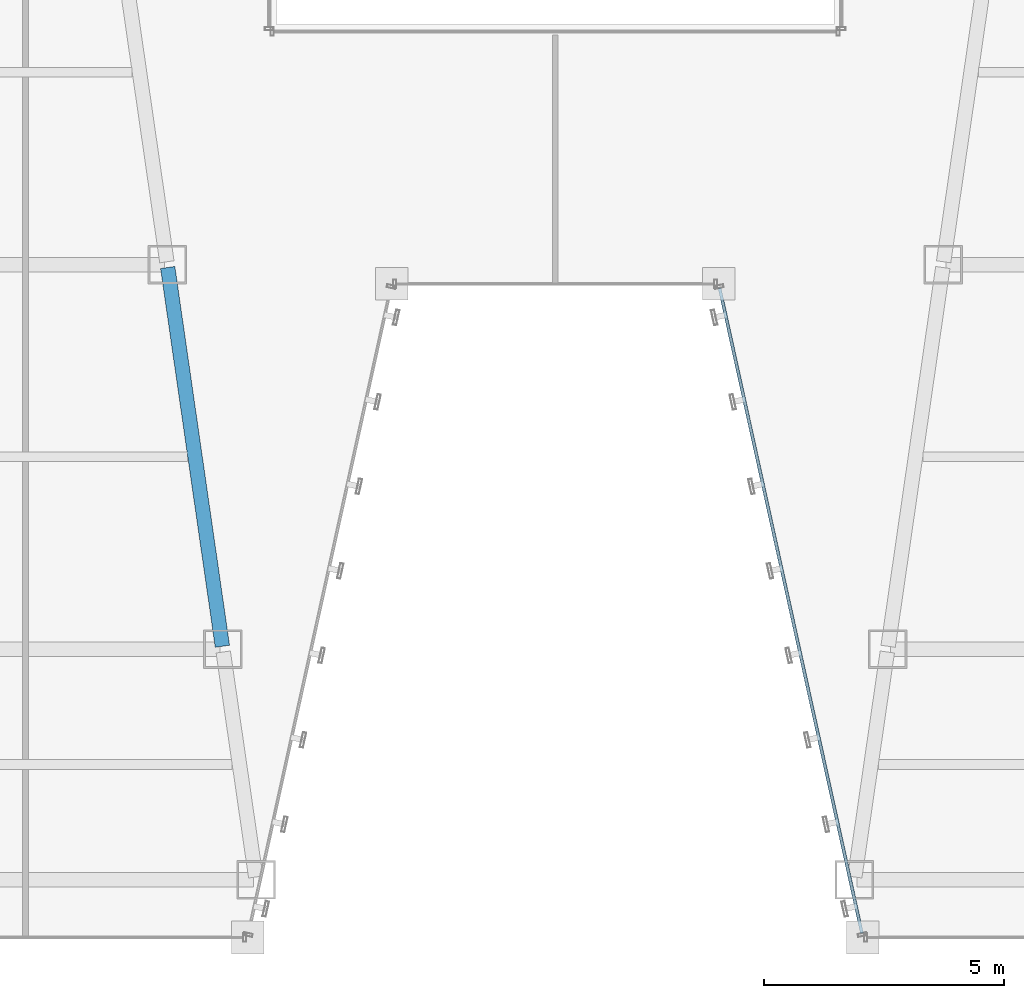
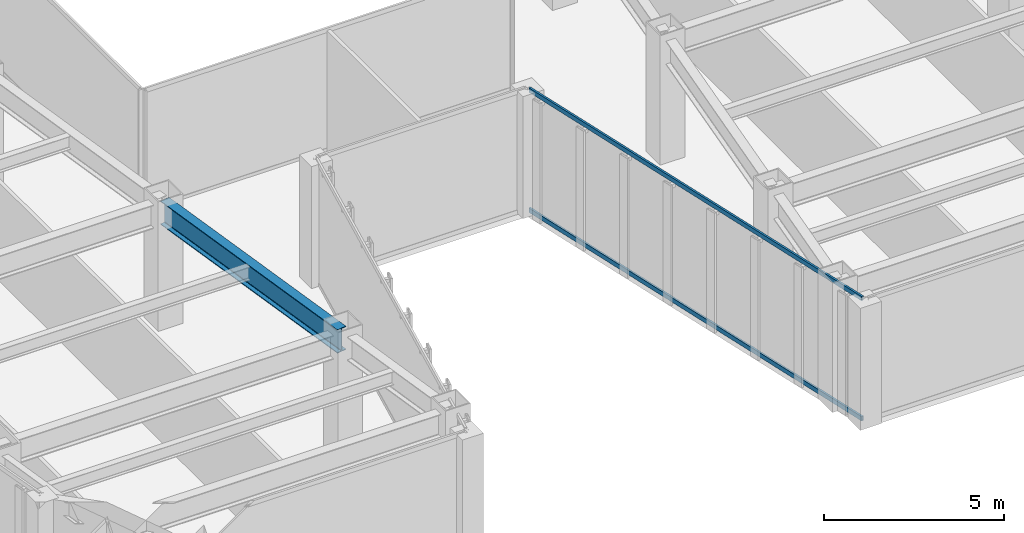
# One storey, part 8 of 49: 2 members, 1 beam, 1 element without a shape of its own.
"""IFC4 building model written with IfcOpenShell, lengths in metres."""

from ifc_helpers import new_model, si_unit, direction, frame, origin, origin_2d, place, context, subcontext, project, spatial, hollow_rectangle, i_section, extrude, material, material_profile, profile_set, type_object, element, aggregate, save


model = new_model("IFC4")

# Units and contexts
model_context = context("Model", 3, precision=1e-05, world=origin(), true_north=direction((0.0, 1.0)))
body_context = subcontext(model_context, "Body", "Model", "MODEL_VIEW")
ifc_project = project(units=[si_unit("LENGTHUNIT", "METRE"), si_unit("AREAUNIT", "SQUARE_METRE"), si_unit("VOLUMEUNIT", "CUBIC_METRE"), si_unit("PLANEANGLEUNIT", "RADIAN"), si_unit("MASSUNIT", "GRAM", prefix="KILO")], contexts=[model_context])

# Site, building, storey
site_placement = place(None, origin())
site = spatial("IfcSite", under=ifc_project, at=site_placement, CompositionType="ELEMENT")
building_placement = place(site_placement, origin())
building = spatial("IfcBuilding", under=site, at=building_placement, Name="Saevonmaru Cultural Tower", CompositionType="ELEMENT")
storey_placement = place(building_placement, frame((0.0, 0.0, 73.60009765625)))
storey = spatial("IfcBuildingStorey", under=building, at=storey_placement, Name="L15", CompositionType="ELEMENT", Elevation=73.60009765625)

# Beam
ifc_material_1 = material(Name="Steel SM420", Category="steel")
ifc_material_profile_1 = material_profile(ifc_material_1, i_section(OverallWidth=0.300048828125, OverallDepth=0.800048828125, WebThickness=0.013916015625, FlangeThickness=0.02587890625, FilletRadius=0.028076171875, at=origin_2d()), Name="H-800x300x14x26")
ifc_profile_set_1 = profile_set([ifc_material_profile_1], Name="Steel SM420")
beam_type = type_object("IfcBeamType", Name="BM-G-H800", PredefinedType="BEAM", material=ifc_profile_set_1)
beam_placement = place(storey_placement, frame((23.074462890625, 8.059326171875, 3.75), z_axis=(-0.142902032203, 0.989736838353, 0.0), x_axis=(-0.989736838353, -0.142902032203, 0.0)))
element("IfcBeam", 1, at=beam_placement, inside=storey, type_object=beam_type, Name="L15 West Atrium Girder 2", PredefinedType="BEAM", context=body_context, shape_type="SweptSolid", body=[
    extrude(i_section(OverallWidth=0.300048828125, OverallDepth=0.800048828125, WebThickness=0.013916015625, FlangeThickness=0.02587890625, FilletRadius=0.028076171875, at=origin_2d()), origin(), (0.0, 0.0, 1.0), 7.963134765625),
])

# Curtain wall, members
ifc_material_2 = material(Name="Satin Bronze Anodised Aluminium", Category="aluminium")
curtain_wall_type = type_object("IfcCurtainWallType", Name="CW-TYP-A", PredefinedType="NOTDEFINED", material=ifc_material_2)
curtain_wall_placement = place(storey_placement, origin())
curtain_wall = element("IfcCurtainWall", 2, at=curtain_wall_placement, inside=storey, type_object=curtain_wall_type, Name="L15 Unitised Curtain Wall E5", PredefinedType="NOTDEFINED")
ifc_material_profile_2 = material_profile(ifc_material_2, hollow_rectangle(XDim=0.06494140625, YDim=0.14990234375, WallThickness=0.00390625, at=origin_2d()), Name="ALU-TRAN-150x65x4")
ifc_profile_set_2 = profile_set([ifc_material_profile_2], Name="Satin Bronze Anodised Aluminium")
member_type = type_object("IfcMemberType", Name="TR-CW-150x65", PredefinedType="USERDEFINED", material=ifc_profile_set_2)
member_1_placement = place(storey_placement, frame((33.419921875, 15.509765625, 0.032470703125), z_axis=(0.21541214732, -0.976523223885, 0.0), x_axis=(0.976523223885, 0.21541214732, 0.0)))
member_1 = element("IfcMember", 3, at=member_1_placement, type_object=member_type, Name="CW-TW-L15-E5 transom 1.1", ObjectType="TRANSOM", PredefinedType="USERDEFINED", context=body_context, shape_type="SweptSolid", body=[
    extrude(hollow_rectangle(XDim=0.06494140625, YDim=0.14990234375, WallThickness=0.00390625, at=origin_2d()), origin(), (0.0, 0.0, 1.0), 13.741943359375),
])
member_2_placement = place(storey_placement, frame((33.419921875, 15.509765625, 4.117431640625), z_axis=(0.21541214732, -0.976523223885, 0.0), x_axis=(0.976523223885, 0.21541214732, 0.0)))
member_2 = element("IfcMember", 4, at=member_2_placement, type_object=member_type, Name="CW-TW-L15-E5 transom 1.2", ObjectType="TRANSOM", PredefinedType="USERDEFINED", context=body_context, shape_type="SweptSolid", body=[
    extrude(hollow_rectangle(XDim=0.06494140625, YDim=0.14990234375, WallThickness=0.00390625, at=origin_2d()), origin(), (0.0, 0.0, 1.0), 13.741943359375),
])
aggregate(curtain_wall, [member_1, member_2])

save(model, "model.ifc")
